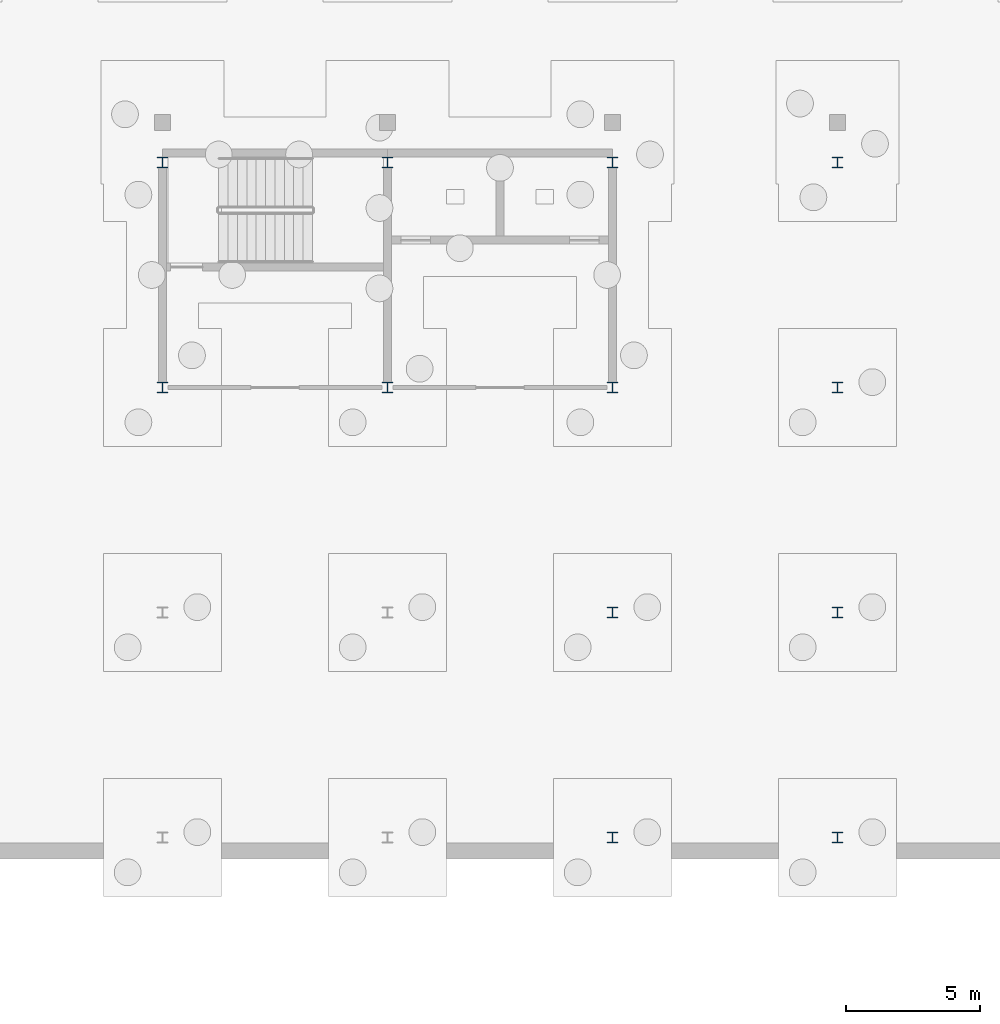
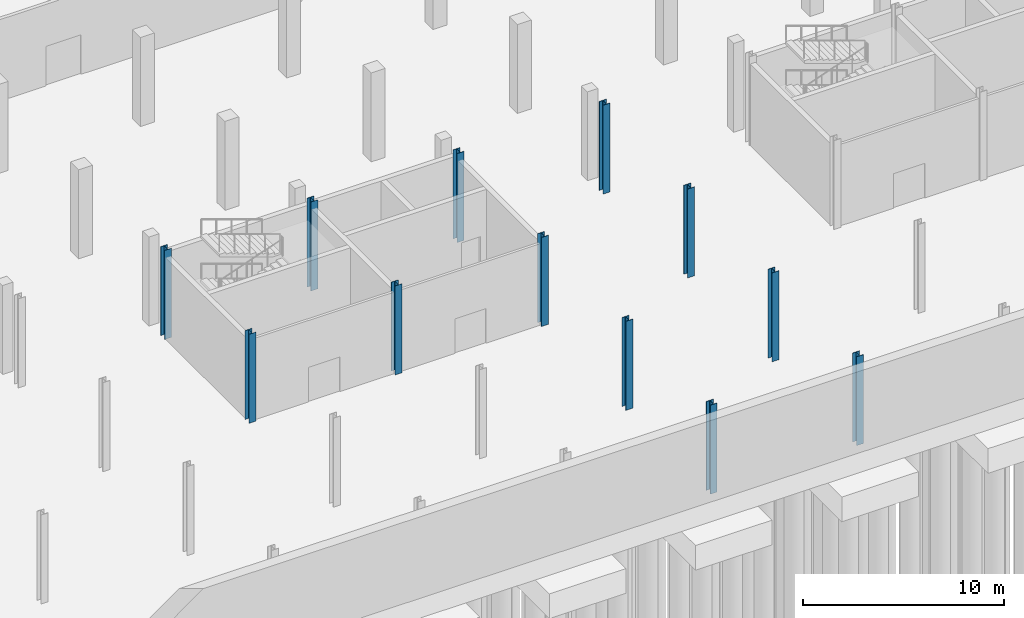
# One storey, part 9 of 29: 12 columns.
"""IFC4 building model written with IfcOpenShell, lengths in metres."""

from ifc_helpers import new_model, si_unit, direction, frame, origin, origin_2d, place, context, subcontext, project, spatial, i_section, extrude, material, material_profile, profile_set, type_object, element, save


model = new_model("IFC4")

# Units and contexts
model_context = context("Model", 3, precision=1e-05, world=origin(), true_north=direction((0.0, 1.0)))
body_context = subcontext(model_context, "Body", "Model", "MODEL_VIEW")
ifc_project = project(units=[si_unit("LENGTHUNIT", "METRE"), si_unit("AREAUNIT", "SQUARE_METRE"), si_unit("VOLUMEUNIT", "CUBIC_METRE"), si_unit("PLANEANGLEUNIT", "RADIAN"), si_unit("MASSUNIT", "GRAM", prefix="KILO")], contexts=[model_context])

# Site, building, storey
site_placement = place(None, origin())
site = spatial("IfcSite", under=ifc_project, at=site_placement, CompositionType="ELEMENT")
building_placement = place(site_placement, origin())
building = spatial("IfcBuilding", under=site, at=building_placement, Name="Cresset Court Congress Hotel", CompositionType="ELEMENT")
storey_placement = place(building_placement, frame((0.0, 0.0, -5.39990234375)))
storey = spatial("IfcBuildingStorey", under=building, at=storey_placement, Name="B1", CompositionType="ELEMENT", Elevation=-5.39990234375)

# Columns
ifc_material = material(Name="Structural steel Q355B", Category="steel")
ifc_material_profile = material_profile(ifc_material, i_section(OverallWidth=0.39990234375, OverallDepth=0.39990234375, WebThickness=0.012939453125, FlangeThickness=0.02099609375, FilletRadius=0.02197265625, at=origin_2d()), Name="HW400x400x13x21")
ifc_profile_set = profile_set([ifc_material_profile], Name="Structural steel Q355B")
column_type = type_object("IfcColumnType", Name="Steel column HW400x400x13x21", PredefinedType="COLUMN", material=ifc_profile_set)
for number, where, z_axis, x_axis, name in (
    (1, (100.800048828125, 16.800048828125, 0.0), (0.0, 0.0, 1.0), (1.0, 0.0, 0.0), "B.col.B1.13C"),
    (2, (100.800048828125, 25.199951171875, 0.0), (0.0, 0.0, 1.0), (1.0, 0.0, 0.0), "B.col.B1.13D"),
    (3, (109.199951171875, 16.800048828125, 0.0), (0.0, 0.0, 1.0), (1.0, 0.0, 0.0), "B.col.B1.14C"),
    (4, (109.199951171875, 25.199951171875, 0.0), (0.0, 0.0, 1.0), (1.0, 0.0, 0.0), "B.col.B1.14D"),
    (5, (117.60009765625, 0.0, 0.0), (0.0, 0.0, 1.0), (1.0, 0.0, 0.0), "B.col.B1.15A"),
    (6, (117.60009765625, 8.39990234375, 0.0), (0.0, 0.0, 1.0), (1.0, 0.0, 0.0), "B.col.B1.15B"),
    (7, (117.60009765625, 16.800048828125, 0.0), (0.0, 0.0, 1.0), (1.0, 0.0, 0.0), "B.col.B1.15C"),
    (8, (117.60009765625, 25.199951171875, 0.0), (0.0, 0.0, 1.0), (1.0, 0.0, 0.0), "B.col.B1.15D"),
    (9, (126.0, 0.0, 0.0), (0.0, 0.0, 1.0), (1.0, 0.0, 0.0), "B.col.B1.16A"),
    (10, (126.0, 8.39990234375, 0.0), (0.0, 0.0, 1.0), (1.0, 0.0, 0.0), "B.col.B1.16B"),
    (11, (126.0, 16.800048828125, 0.0), (0.0, 0.0, 1.0), (1.0, 0.0, 0.0), "B.col.B1.16C"),
    (12, (126.0, 25.199951171875, 0.0), (0.0, 0.0, 1.0), (1.0, 0.0, 0.0), "B.col.B1.16D"),
):
    element("IfcColumn", number, at=place(storey_placement, frame(where, z_axis=z_axis, x_axis=x_axis)), inside=storey, type_object=column_type, Name=name, PredefinedType="COLUMN", context=body_context, shape_type="SweptSolid", body=[
        extrude(i_section(OverallWidth=0.39990234375, OverallDepth=0.39990234375, WebThickness=0.012939453125, FlangeThickness=0.02099609375, FilletRadius=0.02197265625, at=origin_2d()), origin(), (0.0, 0.0, 1.0), 5.39990234375),
    ])

save(model, "model.ifc")
